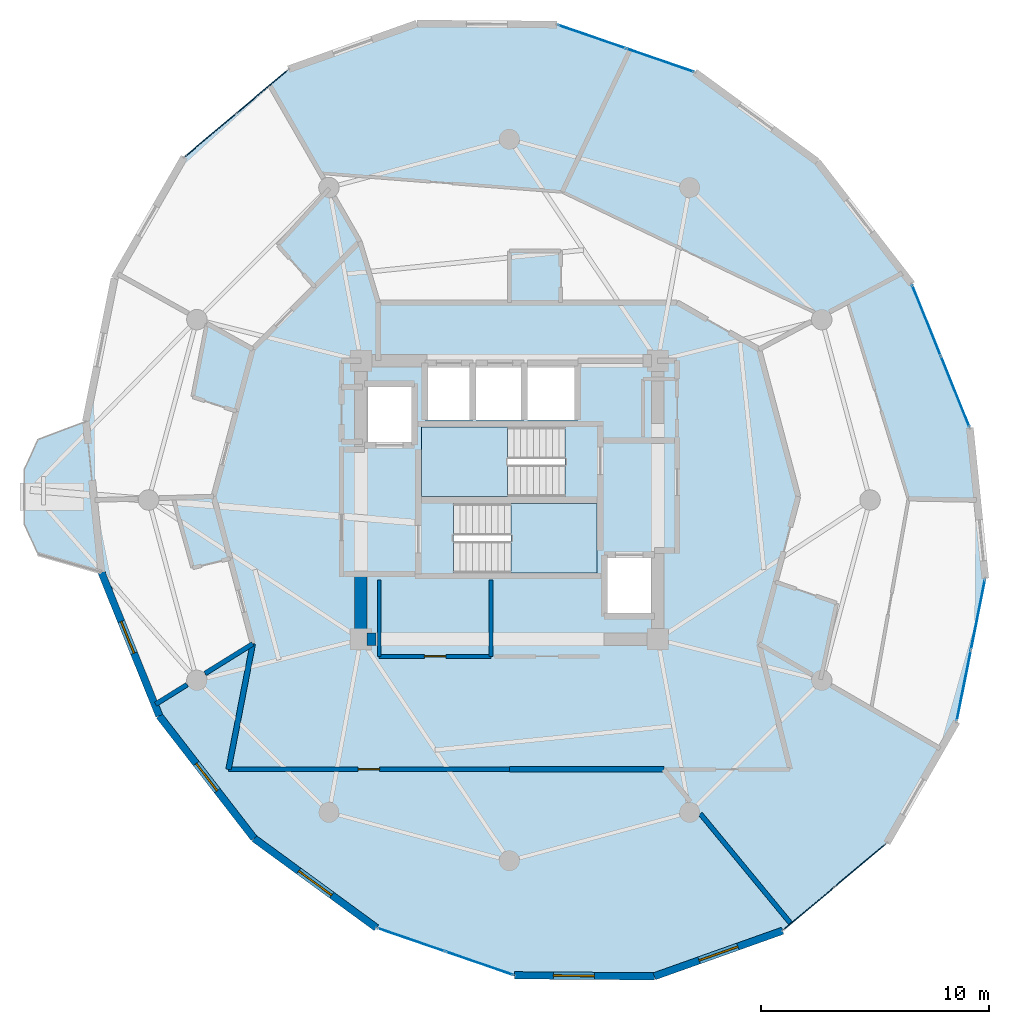
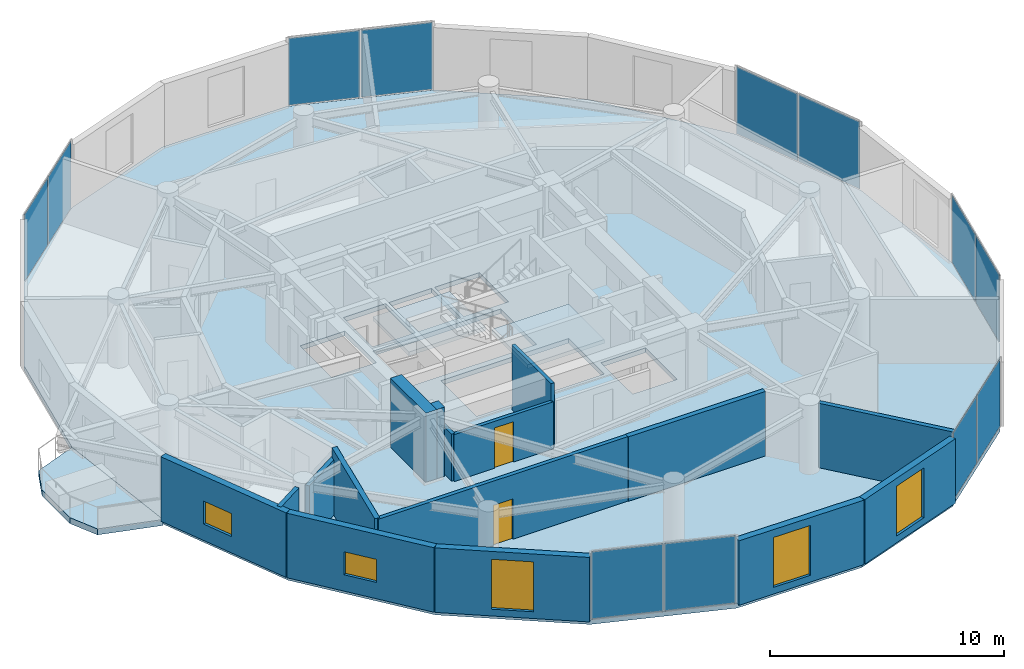
# One storey, part 11 of 17: 16 walls, 12 plates, 5 windows, 4 slabs, 2 doors, 7 openings, 8 elements without a shape of their own.
"""IFC4 building model written with IfcOpenShell, lengths in metres."""

from ifc_helpers import new_model, si_unit, direction, frame, frame_2d, origin, origin_2d, place, context, subcontext, project, spatial, polyline, rectangle, outline, extrude, source, transform, mapped, material, layer, layer_set, type_object, element, fill, aggregate, save


model = new_model("IFC4")

# Units and contexts
model_context = context("Model", 3, precision=1e-05, world=origin(), true_north=direction((0.0, 1.0)))
body_context = subcontext(model_context, "Body", "Model", "MODEL_VIEW")
ifc_project = project(units=[si_unit("LENGTHUNIT", "METRE"), si_unit("AREAUNIT", "SQUARE_METRE"), si_unit("VOLUMEUNIT", "CUBIC_METRE"), si_unit("PLANEANGLEUNIT", "RADIAN"), si_unit("MASSUNIT", "GRAM", prefix="KILO")], contexts=[model_context])

# Site, building, storey
site_placement = place(None, origin())
site = spatial("IfcSite", under=ifc_project, at=site_placement, CompositionType="ELEMENT")
building_placement = place(site_placement, origin())
building = spatial("IfcBuilding", under=site, at=building_placement, Name="Solvirekh Grand Hotel", CompositionType="ELEMENT")
storey_placement = place(building_placement, frame((0.0, 0.0, 191.199951171875)))
storey = spatial("IfcBuildingStorey", under=building, at=storey_placement, Name="L49", CompositionType="ELEMENT", Elevation=191.199951171875)

# Slab
ifc_material_1 = material(Name="Concrete C50/60", Category="concrete")
ifc_layer_1 = layer(ifc_material_1, 0.31005859375)
ifc_layer_set_1 = layer_set([ifc_layer_1], Name="Concrete C50/60")
slab_type_1 = type_object("IfcSlabType", Name="ExtHornSkyGarden_310", PredefinedType="FLOOR", material=ifc_layer_set_1)
slab_1_placement = place(storey_placement, frame((0.0, 0.0, -0.31005859375)))
element("IfcSlab", 1, at=slab_1_placement, inside=storey, type_object=slab_type_1, Name="L49 west horn sky-garden deck", PredefinedType="FLOOR", context=body_context, shape_type="SweptSolid", body=[
    extrude(outline(polyline([(-20.64501953125, 2.64892578125), (-21.2451171875, 1.327880859375), (-21.2451171875, -1.048095703125), (-20.64501953125, -2.368896484375), (-17.868896484375, -3.160888671875), (-18.544921875, 3.44091796875), (-20.64501953125, 2.64892578125)])), origin(), (0.0, 0.0, 1.0), 0.31005859375),
])

# Stair, slab
ifc_material_2 = material(Name="Concrete C40/50", Category="concrete")
stair_type = type_object("IfcStairType", Name="Stair_Core_1450", PredefinedType="HALF_TURN_STAIR", material=ifc_material_2)
stair_1_placement = place(storey_placement, origin())
stair_1 = element("IfcStair", 2, at=stair_1_placement, inside=storey, type_object=stair_type, Name="L49 Enclosed exit stair ST-1", PredefinedType="HALF_TURN_STAIR")
ifc_layer_2 = layer(ifc_material_2, 0.199951171875)
ifc_layer_set_2 = layer_set([ifc_layer_2], Name="Concrete C40/50")
slab_type_2 = type_object("IfcSlabType", Name="Landing_Stair_200", PredefinedType="LANDING", material=ifc_layer_set_2)
slab_2_placement = place(storey_placement, frame((0.0, 0.0, 1.60009765625)))
slab_2 = element("IfcSlab", 3, at=slab_2_placement, type_object=slab_type_2, Name="ST-1 landing 1", PredefinedType="LANDING", context=body_context, shape_type="SweptSolid", body=[
    extrude(outline(polyline([(0.070068359375, -3.199951171875), (3.85009765625, -3.199951171875), (3.85009765625, -0.14990234375), (0.070068359375, -0.14990234375), (0.070068359375, -3.199951171875)])), origin(), (0.0, 0.0, 1.0), 0.199951171875),
])
aggregate(stair_1, [slab_2])

stair_2_placement = place(storey_placement, origin())
stair_2 = element("IfcStair", 4, at=stair_2_placement, inside=storey, type_object=stair_type, Name="L49 Enclosed exit stair ST-2", PredefinedType="HALF_TURN_STAIR")
slab_3_placement = place(storey_placement, frame((0.0, 0.0, 1.60009765625)))
slab_3 = element("IfcSlab", 5, at=slab_3_placement, type_object=slab_type_2, Name="ST-2 landing 1", PredefinedType="LANDING", context=body_context, shape_type="SweptSolid", body=[
    extrude(outline(polyline([(-0.070068359375, 3.199951171875), (-3.85009765625, 3.199951171875), (-3.85009765625, 0.14990234375), (-0.070068359375, 0.14990234375), (-0.070068359375, 3.199951171875)])), origin(), (0.0, 0.0, 1.0), 0.199951171875),
])
aggregate(stair_2, [slab_3])

# Slab
ifc_layer_3 = layer(ifc_material_2, 0.239990234375)
ifc_layer_set_3 = layer_set([ifc_layer_3], Name="Concrete C40/50")
slab_type_3 = type_object("IfcSlabType", Name="Slab_GuestZ3_240", PredefinedType="FLOOR", material=ifc_layer_set_3)
slab_4_placement = place(storey_placement, frame((0.0, 0.0, -0.239990234375)))
element("IfcSlab", 6, at=slab_4_placement, inside=storey, type_object=slab_type_3, Name="L49 structural floor slab", PredefinedType="FLOOR", context=body_context, shape_type="SweptSolid", body=[
    extrude(outline(polyline([(11.971923828125, -18.865966796875), (16.535888671875, -15.02197265625), (19.593017578125, -9.7060546875), (20.844970703125, -3.44091796875), (20.1689453125, 3.160888671875), (17.631103515625, 9.4541015625), (13.47998046875, 14.821044921875), (8.1220703125, 18.738037109375), (2.08203125, 20.820068359375), (-4.050048828125, 20.864013671875), (-9.672119140625, 18.865966796875), (-14.236083984375, 15.02197265625), (-17.29296875, 9.7060546875), (-18.544921875, 3.44091796875), (-17.868896484375, -3.160888671875), (-15.3310546875, -9.4541015625), (-11.179931640625, -14.821044921875), (-5.822021484375, -18.738037109375), (0.218017578125, -20.820068359375), (6.35009765625, -20.864013671875), (11.971923828125, -18.865966796875)]), holes=[polyline([(-2.444091796875, -0.14990234375), (3.85009765625, -0.14990234375), (3.85009765625, -3.199951171875), (-2.444091796875, -3.199951171875), (-2.444091796875, -0.14990234375)]), polyline([(2.444091796875, 0.14990234375), (-3.85009765625, 0.14990234375), (-3.85009765625, 3.199951171875), (2.444091796875, 3.199951171875), (2.444091796875, 0.14990234375)]), polyline([(-3.699951171875, 6.0), (-1.60009765625, 6.0), (-1.60009765625, 3.5), (-3.699951171875, 3.5), (-3.699951171875, 6.0)]), polyline([(-1.449951171875, 6.0), (0.64990234375, 6.0), (0.64990234375, 3.5), (-1.449951171875, 3.5), (-1.449951171875, 6.0)]), polyline([(0.800048828125, 6.0), (3.0, 6.0), (3.0, 3.5), (0.800048828125, 3.5), (0.800048828125, 6.0)]), polyline([(-6.35009765625, 5.10009765625), (-4.14990234375, 5.10009765625), (-4.14990234375, 2.39990234375), (-6.35009765625, 2.39990234375), (-6.35009765625, 5.10009765625)]), polyline([(4.14990234375, -2.39990234375), (6.35009765625, -2.39990234375), (6.35009765625, -5.10009765625), (4.14990234375, -5.10009765625), (4.14990234375, -2.39990234375)])]), origin(), (0.0, 0.0, 1.0), 0.239990234375),
])

# Curtain wall, plates
ifc_material_3 = material(Name="Anodized Bronze Aluminium 6063-T6", Category="aluminium")
ifc_layer_4 = layer(ifc_material_3, 0.159912109375)
ifc_layer_set_4 = layer_set([ifc_layer_4], Name="Anodized Bronze Aluminium 6063-T6")
curtain_wall_type = type_object("IfcCurtainWallType", Name="CW_Sys4_HighZoneFlushBronzeCW", PredefinedType="NOTDEFINED", material=ifc_layer_set_4)
curtain_wall_1_placement = place(storey_placement, origin())
curtain_wall_1 = element("IfcCurtainWall", 7, at=curtain_wall_1_placement, inside=storey, type_object=curtain_wall_type, Name="L49 unitised bronze-glass curtain wall CW-L49-C01", PredefinedType="NOTDEFINED")
ifc_material_4 = material(Name="Low-E Tinted Bronze Laminated Glass", Category="aluminium")
ifc_layer_5 = layer(ifc_material_4, 0.033935546875)
ifc_layer_set_5 = layer_set([ifc_layer_5], Name="Low-E Tinted Bronze Laminated Glass")
plate_type = type_object("IfcPlateType", Name="CWPanel_High_34", PredefinedType="CURTAIN_PANEL", material=ifc_layer_set_5)
shared_shape_1 = source(origin(), body_context, "Body", "SweptSolid", [
    extrude(rectangle(XDim=2.8935546875, YDim=0.033935546875, at=origin_2d()), origin(), (0.0, 0.0, 1.0), 3.489990234375),
])
plate_1_placement = place(storey_placement, frame((13.12451171875, -17.895263671875, 0.05517578125), z_axis=(0.0, 0.0, 1.0), x_axis=(0.764859045903, 0.644197671449, 0.0)))
plate_1 = element("IfcPlate", 8, at=plate_1_placement, type_object=plate_type, Name="U04 panel 1.1", PredefinedType="CURTAIN_PANEL", context=body_context, shape_type="MappedRepresentation", body=[
    mapped(shared_shape_1, transform((0.0, 0.0, 0.0), x_axis=(1.0, 0.0, 0.0), y_axis=(0.0, 1.0, 0.0), z_axis=(0.0, 0.0, 1.0), scale=1.0)),
])
plate_2_placement = place(storey_placement, frame((15.383544921875, -15.99267578125, 0.05517578125), z_axis=(0.0, 0.0, 1.0), x_axis=(0.764859045903, 0.644197671449, 0.0)))
plate_2 = element("IfcPlate", 9, at=plate_2_placement, type_object=plate_type, Name="U04 panel 2.1", PredefinedType="CURTAIN_PANEL", context=body_context, shape_type="MappedRepresentation", body=[
    mapped(shared_shape_1, transform((0.0, 0.0, 0.0), x_axis=(1.0, 0.0, 0.0), y_axis=(0.0, 1.0, 0.0), z_axis=(0.0, 0.0, 1.0), scale=1.0)),
])
aggregate(curtain_wall_1, [plate_1, plate_2])

curtain_wall_2_placement = place(storey_placement, origin())
curtain_wall_2 = element("IfcCurtainWall", 10, at=curtain_wall_2_placement, inside=storey, type_object=curtain_wall_type, Name="L49 unitised bronze-glass curtain wall CW-L49-C11", PredefinedType="NOTDEFINED")
plate_3_placement = place(storey_placement, frame((-10.824462890625, 17.895263671875, 0.05517578125), z_axis=(0.0, 0.0, 1.0), x_axis=(-0.764859045903, -0.644197671449, 0.0)))
plate_3 = element("IfcPlate", 11, at=plate_3_placement, type_object=plate_type, Name="U04 panel 1.1", PredefinedType="CURTAIN_PANEL", context=body_context, shape_type="MappedRepresentation", body=[
    mapped(shared_shape_1, transform((0.0, 0.0, 0.0), x_axis=(1.0, 0.0, 0.0), y_axis=(0.0, 1.0, 0.0), z_axis=(0.0, 0.0, 1.0), scale=1.0)),
])
plate_4_placement = place(storey_placement, frame((-13.08349609375, 15.99267578125, 0.05517578125), z_axis=(0.0, 0.0, 1.0), x_axis=(-0.764859045903, -0.644197671449, 0.0)))
plate_4 = element("IfcPlate", 12, at=plate_4_placement, type_object=plate_type, Name="U04 panel 2.1", PredefinedType="CURTAIN_PANEL", context=body_context, shape_type="MappedRepresentation", body=[
    mapped(shared_shape_1, transform((0.0, 0.0, 0.0), x_axis=(1.0, 0.0, 0.0), y_axis=(0.0, 1.0, 0.0), z_axis=(0.0, 0.0, 1.0), scale=1.0)),
])
aggregate(curtain_wall_2, [plate_3, plate_4])

curtain_wall_3_placement = place(storey_placement, origin())
curtain_wall_3 = element("IfcCurtainWall", 13, at=curtain_wall_3_placement, inside=storey, type_object=curtain_wall_type, Name="L49 unitised bronze-glass curtain wall CW-L49-C03", PredefinedType="NOTDEFINED")
shared_shape_2 = source(origin(), body_context, "Body", "SweptSolid", [
    extrude(rectangle(XDim=3.1044921875, YDim=0.033935546875, at=origin_2d()), origin(), (0.0, 0.0, 1.0), 3.489990234375),
])
plate_5_placement = place(storey_placement, frame((19.908935546875, -8.125, 0.05517578125), z_axis=(0.0, 0.0, 1.0), x_axis=(0.195965630846, 0.980610764538, 0.0)))
plate_5 = element("IfcPlate", 14, at=plate_5_placement, type_object=plate_type, Name="U04 panel 1.1", PredefinedType="CURTAIN_PANEL", context=body_context, shape_type="MappedRepresentation", body=[
    mapped(shared_shape_2, transform((0.0, 0.0, 0.0), x_axis=(1.0, 0.0, 0.0), y_axis=(0.0, 1.0, 0.0), z_axis=(0.0, 0.0, 1.0), scale=1.0)),
])
plate_6_placement = place(storey_placement, frame((20.529052734375, -5.02197265625, 0.05517578125), z_axis=(0.0, 0.0, 1.0), x_axis=(0.195965630846, 0.980610764538, 0.0)))
plate_6 = element("IfcPlate", 15, at=plate_6_placement, type_object=plate_type, Name="U04 panel 2.1", PredefinedType="CURTAIN_PANEL", context=body_context, shape_type="MappedRepresentation", body=[
    mapped(shared_shape_2, transform((0.0, 0.0, 0.0), x_axis=(1.0, 0.0, 0.0), y_axis=(0.0, 1.0, 0.0), z_axis=(0.0, 0.0, 1.0), scale=1.0)),
])
aggregate(curtain_wall_3, [plate_5, plate_6])

curtain_wall_4_placement = place(storey_placement, origin())
curtain_wall_4 = element("IfcCurtainWall", 16, at=curtain_wall_4_placement, inside=storey, type_object=curtain_wall_type, Name="L49 unitised bronze-glass curtain wall CW-L49-C08", PredefinedType="NOTDEFINED")
plate_7_placement = place(storey_placement, frame((6.597900390625, 19.263427734375, 0.05517578125), z_axis=(0.0, 0.0, 1.0), x_axis=(-0.945409570197, 0.325884557137, 0.0)))
plate_7 = element("IfcPlate", 17, at=plate_7_placement, type_object=plate_type, Name="U04 panel 1.1", PredefinedType="CURTAIN_PANEL", context=body_context, shape_type="MappedRepresentation", body=[
    mapped(shared_shape_2, transform((0.0, 0.0, 0.0), x_axis=(1.0, 0.0, 0.0), y_axis=(0.0, 1.0, 0.0), z_axis=(0.0, 0.0, 1.0), scale=1.0)),
])
plate_8_placement = place(storey_placement, frame((3.606201171875, 20.294677734375, 0.05517578125), z_axis=(0.0, 0.0, 1.0), x_axis=(-0.945409570197, 0.325884557137, 0.0)))
plate_8 = element("IfcPlate", 18, at=plate_8_placement, type_object=plate_type, Name="U04 panel 2.1", PredefinedType="CURTAIN_PANEL", context=body_context, shape_type="MappedRepresentation", body=[
    mapped(shared_shape_2, transform((0.0, 0.0, 0.0), x_axis=(1.0, 0.0, 0.0), y_axis=(0.0, 1.0, 0.0), z_axis=(0.0, 0.0, 1.0), scale=1.0)),
])
aggregate(curtain_wall_4, [plate_7, plate_8])

curtain_wall_5_placement = place(storey_placement, origin())
curtain_wall_5 = element("IfcCurtainWall", 19, at=curtain_wall_5_placement, inside=storey, type_object=curtain_wall_type, Name="L49 unitised bronze-glass curtain wall CW-L49-C18", PredefinedType="NOTDEFINED")
plate_9_placement = place(storey_placement, frame((-4.2978515625, -19.263427734375, 0.05517578125), z_axis=(0.0, 0.0, 1.0), x_axis=(0.945409570197, -0.325884557137, 0.0)))
plate_9 = element("IfcPlate", 20, at=plate_9_placement, type_object=plate_type, Name="U04 panel 1.1", PredefinedType="CURTAIN_PANEL", context=body_context, shape_type="MappedRepresentation", body=[
    mapped(shared_shape_2, transform((0.0, 0.0, 0.0), x_axis=(1.0, 0.0, 0.0), y_axis=(0.0, 1.0, 0.0), z_axis=(0.0, 0.0, 1.0), scale=1.0)),
])
plate_10_placement = place(storey_placement, frame((-1.30615234375, -20.294677734375, 0.05517578125), z_axis=(0.0, 0.0, 1.0), x_axis=(0.945409570197, -0.325884557137, 0.0)))
plate_10 = element("IfcPlate", 21, at=plate_10_placement, type_object=plate_type, Name="U04 panel 2.1", PredefinedType="CURTAIN_PANEL", context=body_context, shape_type="MappedRepresentation", body=[
    mapped(shared_shape_2, transform((0.0, 0.0, 0.0), x_axis=(1.0, 0.0, 0.0), y_axis=(0.0, 1.0, 0.0), z_axis=(0.0, 0.0, 1.0), scale=1.0)),
])
aggregate(curtain_wall_5, [plate_9, plate_10])

curtain_wall_6_placement = place(storey_placement, origin())
curtain_wall_6 = element("IfcCurtainWall", 22, at=curtain_wall_6_placement, inside=storey, type_object=curtain_wall_type, Name="L49 unitised bronze-glass curtain wall CW-L49-C05", PredefinedType="NOTDEFINED")
shared_shape_3 = source(origin(), body_context, "Body", "SweptSolid", [
    extrude(rectangle(XDim=3.302734375, YDim=0.033935546875, at=origin_2d()), origin(), (0.0, 0.0, 1.0), 3.489990234375),
])
plate_11_placement = place(storey_placement, frame((19.52880859375, 4.748046875, 0.05517578125), z_axis=(0.0, 0.0, 1.0), x_axis=(-0.374031715736, 0.927415912966, 0.0)))
plate_11 = element("IfcPlate", 23, at=plate_11_placement, type_object=plate_type, Name="U04 panel 1.1", PredefinedType="CURTAIN_PANEL", context=body_context, shape_type="MappedRepresentation", body=[
    mapped(shared_shape_3, transform((0.0, 0.0, 0.0), x_axis=(1.0, 0.0, 0.0), y_axis=(0.0, 1.0, 0.0), z_axis=(0.0, 0.0, 1.0), scale=1.0)),
])
plate_12_placement = place(storey_placement, frame((18.27099609375, 7.866943359375, 0.05517578125), z_axis=(0.0, 0.0, 1.0), x_axis=(-0.374031715736, 0.927415912966, 0.0)))
plate_12 = element("IfcPlate", 24, at=plate_12_placement, type_object=plate_type, Name="U04 panel 2.1", PredefinedType="CURTAIN_PANEL", context=body_context, shape_type="MappedRepresentation", body=[
    mapped(shared_shape_3, transform((0.0, 0.0, 0.0), x_axis=(1.0, 0.0, 0.0), y_axis=(0.0, 1.0, 0.0), z_axis=(0.0, 0.0, 1.0), scale=1.0)),
])
aggregate(curtain_wall_6, [plate_11, plate_12])

# Walls
ifc_layer_6 = layer(ifc_material_1, 0.550048828125)
ifc_layer_set_6 = layer_set([ifc_layer_6], Name="Concrete C50/60")
wall_type_1 = type_object("IfcWallType", Name="CoreWall_RC550", PredefinedType="SHEAR", material=ifc_layer_set_6)
wall_1_placement = place(storey_placement, frame((-6.22509765625, -6.10009765625, 0.0), z_axis=(0.0, 0.0, 1.0), x_axis=(1.0, 0.0, 0.0)))
element("IfcWall", 25, at=wall_1_placement, inside=storey, type_object=wall_type_1, Name="L49 core corner shear wall SW-S", PredefinedType="SHEAR", context=body_context, shape_type="SweptSolid", body=[
    extrude(rectangle(XDim=0.375, YDim=0.550048828125, at=frame_2d((0.1875, 0.0))), origin(), (0.0, 0.0, 1.0), 3.60009765625),
])
wall_2_placement = place(storey_placement, frame((-6.5, -6.375, 0.0), z_axis=(0.0, 0.0, 1.0), x_axis=(0.0, 1.0, 0.0)))
element("IfcWall", 26, at=wall_2_placement, inside=storey, type_object=wall_type_1, Name="L49 core corner shear wall WS-W", PredefinedType="SHEAR", context=body_context, shape_type="SweptSolid", body=[
    extrude(rectangle(XDim=3.02490234375, YDim=0.550048828125, at=frame_2d((1.512451171875, 0.0))), origin(), (0.0, 0.0, 1.0), 3.60009765625),
])

# Wall, opening, window
ifc_material_5 = material(Name="Precast concrete C45/55", Category="concrete")
ifc_layer_7 = layer(ifc_material_5, 0.320068359375)
ifc_layer_set_7 = layer_set([ifc_layer_7], Name="Precast concrete C45/55")
wall_type_2 = type_object("IfcWallType", Name="ExtLobbyWall_RC320", PredefinedType="SOLIDWALL", material=ifc_layer_set_7)
wall_3_placement = place(storey_placement, frame((-15.3310546875, -9.4541015625, 0.0), z_axis=(0.0, 0.0, 1.0), x_axis=(-0.374000779889, 0.927428388956, 0.0)))
wall_3 = element("IfcWall", 27, at=wall_3_placement, inside=storey, type_object=wall_type_2, Name="L49 cantilevered deck support wall chord 15", PredefinedType="SOLIDWALL", context=body_context, shape_type="SweptSolid", body=[
    extrude(rectangle(XDim=6.78564453125, YDim=0.320068359375, at=frame_2d((3.392822265625, 0.0))), origin(), (0.0, 0.0, 1.0), 3.360107421875),
])
opening_1_placement = place(wall_3_placement, frame((2.958984375, 0.0, 0.85009765625)))
opening_1 = element("IfcOpeningElement", 28, at=opening_1_placement, cuts=wall_3, Name="Opening W05", PredefinedType="OPENING", context=body_context, shape_type="SweptSolid", body=[
    extrude(rectangle(XDim=1.5, YDim=1.199951171875, at=frame_2d((0.75, 0.60009765625))), frame((0.0, 0.169921875, 0.0), z_axis=(0.0, -1.0, 0.0), x_axis=(1.0, 0.0, 0.0)), (0.0, 0.0, 1.0), 0.340087890625),
])
window_type_1 = type_object("IfcWindowType", Name="Win_PlantVent_1500X1200", PartitioningType="SINGLE_PANEL", PredefinedType="WINDOW", material=ifc_material_4)
window_1_placement = place(opening_1_placement, origin())
window_1 = element("IfcWindow", 29, at=window_1_placement, inside=storey, type_object=window_type_1, Name="L49 bronze-framed vision ribbon window 15", OverallHeight=1.199951171875, OverallWidth=1.5, PartitioningType="SINGLE_PANEL", PredefinedType="WINDOW", context=body_context, shape_type="SweptSolid", body=[
    extrude(rectangle(XDim=1.5, YDim=1.199951171875, at=frame_2d((0.75, 0.60009765625))), frame((0.0, 0.030029296875, 0.0), z_axis=(0.0, -1.0, 0.0), x_axis=(1.0, 0.0, 0.0)), (0.0, 0.0, 1.0), 0.06005859375),
])
fill(opening_1, window_1)

wall_4_placement = place(storey_placement, frame((-11.179931640625, -14.821044921875, 0.0), z_axis=(0.0, 0.0, 1.0), x_axis=(-0.611810985794, 0.791003993455, 0.0)))
wall_4 = element("IfcWall", 30, at=wall_4_placement, inside=storey, type_object=wall_type_2, Name="L49 cantilevered deck support wall chord 16", PredefinedType="SOLIDWALL", context=body_context, shape_type="SweptSolid", body=[
    extrude(rectangle(XDim=6.784912109375, YDim=0.320068359375, at=frame_2d((3.392578125, 0.0))), origin(), (0.0, 0.0, 1.0), 3.360107421875),
])
opening_2_placement = place(wall_4_placement, frame((2.64208984375, 0.0, 0.85009765625)))
opening_2 = element("IfcOpeningElement", 31, at=opening_2_placement, cuts=wall_4, Name="Opening W05", PredefinedType="OPENING", context=body_context, shape_type="SweptSolid", body=[
    extrude(rectangle(XDim=1.5, YDim=1.199951171875, at=frame_2d((0.75, 0.60009765625))), frame((0.0, 0.169921875, 0.0), z_axis=(0.0, -1.0, 0.0), x_axis=(1.0, 0.0, 0.0)), (0.0, 0.0, 1.0), 0.340087890625),
])
window_2_placement = place(opening_2_placement, origin())
window_2 = element("IfcWindow", 32, at=window_2_placement, inside=storey, type_object=window_type_1, Name="L49 bronze-framed vision ribbon window 16", OverallHeight=1.199951171875, OverallWidth=1.5, PartitioningType="SINGLE_PANEL", PredefinedType="WINDOW", context=body_context, shape_type="SweptSolid", body=[
    extrude(rectangle(XDim=1.5, YDim=1.199951171875, at=frame_2d((0.75, 0.60009765625))), frame((0.0, 0.030029296875, 0.0), z_axis=(0.0, -1.0, 0.0), x_axis=(1.0, 0.0, 0.0)), (0.0, 0.0, 1.0), 0.06005859375),
])
fill(opening_2, window_2)

wall_5_placement = place(storey_placement, frame((-5.822021484375, -18.738037109375, 0.0), z_axis=(0.0, 0.0, 1.0), x_axis=(-0.80727653181, 0.590173365368, 0.0)))
wall_5 = element("IfcWall", 33, at=wall_5_placement, inside=storey, type_object=wall_type_2, Name="L49 exterior structural wall chord 17", PredefinedType="SOLIDWALL", context=body_context, shape_type="SweptSolid", body=[
    extrude(rectangle(XDim=6.636962890625, YDim=0.320068359375, at=frame_2d((3.318359375, 0.0))), origin(), (0.0, 0.0, 1.0), 3.360107421875),
])
opening_3_placement = place(wall_5_placement, frame((2.4189453125, 0.0, 0.35009765625)))
opening_3 = element("IfcOpeningElement", 34, at=opening_3_placement, cuts=wall_5, Name="Opening W02", PredefinedType="OPENING", context=body_context, shape_type="SweptSolid", body=[
    extrude(rectangle(XDim=1.800048828125, YDim=2.60009765625, at=frame_2d((0.89990234375, 1.300048828125))), frame((0.0, 0.169921875, 0.0), z_axis=(0.0, -1.0, 0.0), x_axis=(1.0, 0.0, 0.0)), (0.0, 0.0, 1.0), 0.340087890625),
])
window_type_2 = type_object("IfcWindowType", Name="Win_LobbyExt_1800X2600", PartitioningType="SINGLE_PANEL", PredefinedType="WINDOW", material=ifc_material_4)
window_3_placement = place(opening_3_placement, origin())
window_3 = element("IfcWindow", 35, at=window_3_placement, inside=storey, type_object=window_type_2, Name="L49 panoramic bronze-framed window 17", OverallHeight=2.60009765625, OverallWidth=1.800048828125, PartitioningType="SINGLE_PANEL", PredefinedType="WINDOW", context=body_context, shape_type="SweptSolid", body=[
    extrude(rectangle(XDim=1.800048828125, YDim=2.60009765625, at=frame_2d((0.89990234375, 1.300048828125))), frame((0.0, 0.030029296875, 0.0), z_axis=(0.0, -1.0, 0.0), x_axis=(1.0, 0.0, 0.0)), (0.0, 0.0, 1.0), 0.06005859375),
])
fill(opening_3, window_3)

wall_6_placement = place(storey_placement, frame((6.35009765625, -20.864013671875, 0.0), z_axis=(0.0, 0.0, 1.0), x_axis=(-0.999974321908, 0.007166276942, 0.0)))
wall_6 = element("IfcWall", 36, at=wall_6_placement, inside=storey, type_object=wall_type_2, Name="L49 exterior structural wall chord 19", PredefinedType="SOLIDWALL", context=body_context, shape_type="SweptSolid", body=[
    extrude(rectangle(XDim=6.13232421875, YDim=0.320068359375, at=frame_2d((3.066162109375, 0.0))), origin(), (0.0, 0.0, 1.0), 3.360107421875),
])
opening_4_placement = place(wall_6_placement, frame((2.625, 0.0, 0.35009765625)))
opening_4 = element("IfcOpeningElement", 37, at=opening_4_placement, cuts=wall_6, Name="Opening W02", PredefinedType="OPENING", context=body_context, shape_type="SweptSolid", body=[
    extrude(rectangle(XDim=1.800048828125, YDim=2.60009765625, at=frame_2d((0.89990234375, 1.300048828125))), frame((0.0, 0.169921875, 0.0), z_axis=(0.0, -1.0, 0.0), x_axis=(1.0, 0.0, 0.0)), (0.0, 0.0, 1.0), 0.340087890625),
])
window_4_placement = place(opening_4_placement, origin())
window_4 = element("IfcWindow", 38, at=window_4_placement, inside=storey, type_object=window_type_2, Name="L49 panoramic bronze-framed window 19", OverallHeight=2.60009765625, OverallWidth=1.800048828125, PartitioningType="SINGLE_PANEL", PredefinedType="WINDOW", context=body_context, shape_type="SweptSolid", body=[
    extrude(rectangle(XDim=1.800048828125, YDim=2.60009765625, at=frame_2d((0.89990234375, 1.300048828125))), frame((0.0, 0.030029296875, 0.0), z_axis=(0.0, -1.0, 0.0), x_axis=(1.0, 0.0, 0.0)), (0.0, 0.0, 1.0), 0.06005859375),
])
fill(opening_4, window_4)

wall_7_placement = place(storey_placement, frame((11.971923828125, -18.865966796875, 0.0), z_axis=(0.0, 0.0, 1.0), x_axis=(-0.942258310851, -0.334886959483, 0.0)))
wall_7 = element("IfcWall", 39, at=wall_7_placement, inside=storey, type_object=wall_type_2, Name="L49 exterior structural wall chord 20", PredefinedType="SOLIDWALL", context=body_context, shape_type="SweptSolid", body=[
    extrude(rectangle(XDim=5.96630859375, YDim=0.320068359375, at=frame_2d((2.983154296875, 0.0))), origin(), (0.0, 0.0, 1.0), 3.360107421875),
])
opening_5_placement = place(wall_7_placement, frame((2.0830078125, 0.0, 0.35009765625)))
opening_5 = element("IfcOpeningElement", 40, at=opening_5_placement, cuts=wall_7, Name="Opening W02", PredefinedType="OPENING", context=body_context, shape_type="SweptSolid", body=[
    extrude(rectangle(XDim=1.800048828125, YDim=2.60009765625, at=frame_2d((0.89990234375, 1.300048828125))), frame((0.0, 0.169921875, 0.0), z_axis=(0.0, -1.0, 0.0), x_axis=(1.0, 0.0, 0.0)), (0.0, 0.0, 1.0), 0.340087890625),
])
window_5_placement = place(opening_5_placement, origin())
window_5 = element("IfcWindow", 41, at=window_5_placement, inside=storey, type_object=window_type_2, Name="L49 panoramic bronze-framed window 20", OverallHeight=2.60009765625, OverallWidth=1.800048828125, PartitioningType="SINGLE_PANEL", PredefinedType="WINDOW", context=body_context, shape_type="SweptSolid", body=[
    extrude(rectangle(XDim=1.800048828125, YDim=2.60009765625, at=frame_2d((0.89990234375, 1.300048828125))), frame((0.0, 0.030029296875, 0.0), z_axis=(0.0, -1.0, 0.0), x_axis=(1.0, 0.0, 0.0)), (0.0, 0.0, 1.0), 0.06005859375),
])
fill(opening_5, window_5)

# Wall, opening, door
ifc_material_6 = material(Name="Acoustic Gypsum Partition Assembly")
ifc_layer_8 = layer(ifc_material_6, 0.1650390625)
ifc_layer_set_8 = layer_set([ifc_layer_8], Name="Acoustic Gypsum Partition Assembly")
wall_type_3 = type_object("IfcWallType", Name="Part_BOH_165", PredefinedType="PARTITIONING", material=ifc_layer_set_8)
wall_8_placement = place(storey_placement, frame((-5.699951171875, -6.85009765625, 0.0), z_axis=(0.0, 0.0, 1.0), x_axis=(1.0, 0.0, 0.0)))
wall_8 = element("IfcWall", 42, at=wall_8_placement, inside=storey, type_object=wall_type_3, Name="L49 High-Zone Housekeeping Linen Room wall 1", PredefinedType="PARTITIONING", context=body_context, shape_type="SweptSolid", body=[
    extrude(rectangle(XDim=4.89990234375, YDim=0.1650390625, at=frame_2d((2.449951171875, 0.0))), origin(), (0.0, 0.0, 1.0), 2.445068359375),
])
opening_6_placement = place(wall_8_placement, frame((1.97509765625, 0.0, 0.0)))
opening_6 = element("IfcOpeningElement", 43, at=opening_6_placement, cuts=wall_8, Name="Opening D10", PredefinedType="OPENING", context=body_context, shape_type="SweptSolid", body=[
    extrude(rectangle(XDim=0.949951171875, YDim=2.10009765625, at=frame_2d((0.47509765625, 1.050048828125))), frame((0.0, 0.092529296875, 0.0), z_axis=(0.0, -1.0, 0.0), x_axis=(1.0, 0.0, 0.0)), (0.0, 0.0, 1.0), 0.18505859375),
])
door_type = type_object("IfcDoorType", Name="Door_RoomInt_950X2100", OperationType="NOTDEFINED", PredefinedType="DOOR", material=ifc_material_3)
door_1_placement = place(opening_6_placement, origin())
door_1 = element("IfcDoor", 44, at=door_1_placement, inside=storey, type_object=door_type, Name="L49 High-Zone Housekeeping Linen Room door", OperationType="SINGLE_SWING_RIGHT", OverallHeight=2.10009765625, OverallWidth=0.949951171875, PredefinedType="DOOR", context=body_context, shape_type="SweptSolid", body=[
    extrude(rectangle(XDim=0.949951171875, YDim=2.10009765625, at=frame_2d((0.47509765625, 1.050048828125))), frame((0.0, 0.02490234375, 0.0), z_axis=(0.0, -1.0, 0.0), x_axis=(1.0, 0.0, 0.0)), (0.0, 0.0, 1.0), 0.050048828125),
])
fill(opening_6, door_1)

# Walls
wall_9_placement = place(storey_placement, frame((-0.800048828125, -6.85009765625, 0.0), z_axis=(0.0, 0.0, 1.0), x_axis=(0.0, 1.0, 0.0)))
element("IfcWall", 45, at=wall_9_placement, inside=storey, type_object=wall_type_3, Name="L49 High-Zone Housekeeping Linen Room wall 2", PredefinedType="PARTITIONING", context=body_context, shape_type="SweptSolid", body=[
    extrude(rectangle(XDim=3.35009765625, YDim=0.1650390625, at=frame_2d((1.675048828125, 0.0))), origin(), (0.0, 0.0, 1.0), 3.360107421875),
])
wall_10_placement = place(storey_placement, frame((-5.699951171875, -3.5, 0.0), z_axis=(0.0, 0.0, 1.0), x_axis=(0.0, -1.0, 0.0)))
element("IfcWall", 46, at=wall_10_placement, inside=storey, type_object=wall_type_3, Name="L49 High-Zone Housekeeping Linen Room wall 4", PredefinedType="PARTITIONING", context=body_context, shape_type="SweptSolid", body=[
    extrude(rectangle(XDim=3.35009765625, YDim=0.1650390625, at=frame_2d((1.675048828125, 0.0))), origin(), (0.0, 0.0, 1.0), 2.445068359375),
])
ifc_layer_9 = layer(ifc_material_6, 0.239990234375)
ifc_layer_set_9 = layer_set([ifc_layer_9], Name="Acoustic Gypsum Partition Assembly")
wall_type_4 = type_object("IfcWallType", Name="Part_Corridor_240", PredefinedType="PARTITIONING", material=ifc_layer_set_9)
wall_11_placement = place(storey_placement, frame((-11.235107421875, -6.300048828125, 0.0), z_axis=(0.0, 0.0, 1.0), x_axis=(-0.190095078136, -0.981765685522, 0.0)))
element("IfcWall", 47, at=wall_11_placement, inside=storey, type_object=wall_type_4, Name="L49 L49 Collector Map Lounge corridor wall 1", PredefinedType="PARTITIONING", context=body_context, shape_type="SweptSolid", body=[
    extrude(rectangle(XDim=5.60205078125, YDim=0.239990234375, at=frame_2d((2.801025390625, 0.0))), origin(), (0.0, 0.0, 1.0), 3.360107421875),
])
wall_12_placement = place(storey_placement, frame((0.0, -11.800048828125, 0.0), z_axis=(0.0, 0.0, 1.0), x_axis=(1.0, 0.0, 0.0)))
element("IfcWall", 48, at=wall_12_placement, inside=storey, type_object=wall_type_4, Name="L49 L49 Collector Map Lounge corridor wall 2", PredefinedType="PARTITIONING", context=body_context, shape_type="SweptSolid", body=[
    extrude(rectangle(XDim=6.764892578125, YDim=0.239990234375, at=frame_2d((3.38232421875, 0.0))), origin(), (0.0, 0.0, 1.0), 3.360107421875),
])

# Wall, opening, door
ifc_layer_10 = layer(ifc_material_6, 0.18994140625)
ifc_layer_set_10 = layer_set([ifc_layer_10], Name="Acoustic Gypsum Partition Assembly")
wall_type_5 = type_object("IfcWallType", Name="Part_GuestDemise_190", PredefinedType="PARTITIONING", material=ifc_layer_set_10)
wall_13_placement = place(storey_placement, frame((-12.300048828125, -11.800048828125, 0.0), z_axis=(0.0, 0.0, 1.0), x_axis=(1.0, 0.0, 0.0)))
wall_13 = element("IfcWall", 49, at=wall_13_placement, inside=storey, type_object=wall_type_5, Name="L49 L49 Collector Map Lounge entrance wall", PredefinedType="PARTITIONING", context=body_context, shape_type="SweptSolid", body=[
    extrude(rectangle(XDim=12.300048828125, YDim=0.18994140625, at=frame_2d((6.14990234375, 0.0))), origin(), (0.0, 0.0, 1.0), 3.360107421875),
])
opening_7_placement = place(wall_13_placement, frame((5.675048828125, 0.0, 0.0)))
opening_7 = element("IfcOpeningElement", 50, at=opening_7_placement, cuts=wall_13, Name="Opening D10", PredefinedType="OPENING", context=body_context, shape_type="SweptSolid", body=[
    extrude(rectangle(XDim=0.949951171875, YDim=2.10009765625, at=frame_2d((0.47509765625, 1.050048828125))), frame((0.0, 0.10498046875, 0.0), z_axis=(0.0, -1.0, 0.0), x_axis=(1.0, 0.0, 0.0)), (0.0, 0.0, 1.0), 0.2099609375),
])
door_2_placement = place(opening_7_placement, origin())
door_2 = element("IfcDoor", 51, at=door_2_placement, inside=storey, type_object=door_type, Name="L49 L49 Collector Map Lounge entrance door", OperationType="SINGLE_SWING_RIGHT", OverallHeight=2.10009765625, OverallWidth=0.949951171875, PredefinedType="DOOR", context=body_context, shape_type="SweptSolid", body=[
    extrude(rectangle(XDim=0.949951171875, YDim=2.10009765625, at=frame_2d((0.47509765625, 1.050048828125))), frame((0.0, 0.02490234375, 0.0), z_axis=(0.0, -1.0, 0.0), x_axis=(1.0, 0.0, 0.0)), (0.0, 0.0, 1.0), 0.050048828125),
])
fill(opening_7, door_2)

# Walls
ifc_layer_11 = layer(ifc_material_6, 0.2099609375)
ifc_layer_set_11 = layer_set([ifc_layer_11], Name="Acoustic Gypsum Partition Assembly")
wall_type_6 = type_object("IfcWallType", Name="Part_SuiteDemise_210", PredefinedType="PARTITIONING", material=ifc_layer_set_11)
wall_14_placement = place(storey_placement, frame((-11.235107421875, -6.300048828125, 0.0), z_axis=(0.0, 0.0, 1.0), x_axis=(-0.8495787928, -0.527461728302, 0.0)))
element("IfcWall", 52, at=wall_14_placement, inside=storey, type_object=wall_type_6, Name="L49 suite radial wall 8 (A)", PredefinedType="PARTITIONING", context=body_context, shape_type="SweptSolid", body=[
    extrude(rectangle(XDim=2.458740234375, YDim=0.2099609375, at=frame_2d((1.2294921875, 0.0))), origin(), (0.0, 0.0, 1.0), 2.8759765625),
])
wall_15_placement = place(storey_placement, frame((-14.114013671875, -8.087890625, 0.0), z_axis=(0.0, 0.0, 1.0), x_axis=(-0.849447375162, -0.527673342922, 0.0)))
element("IfcWall", 53, at=wall_15_placement, inside=storey, type_object=wall_type_6, Name="L49 suite radial wall 8 (B)", PredefinedType="PARTITIONING", context=body_context, shape_type="SweptSolid", body=[
    extrude(rectangle(XDim=1.62451171875, YDim=0.2099609375, at=frame_2d((0.812255859375, 0.0))), origin(), (0.0, 0.0, 1.0), 3.360107421875),
])
wall_16_placement = place(storey_placement, frame((8.365966796875, -13.742919921875, 0.0), z_axis=(0.0, 0.0, 1.0), x_axis=(0.636047975174, -0.771649514532, 0.0)))
element("IfcWall", 54, at=wall_16_placement, inside=storey, type_object=wall_type_6, Name="L49 L49 Collector Map Lounge dividing partition 1 (B)", PredefinedType="PARTITIONING", context=body_context, shape_type="SweptSolid", body=[
    extrude(rectangle(XDim=6.202392578125, YDim=0.2099609375, at=frame_2d((3.10107421875, 0.0))), origin(), (0.0, 0.0, 1.0), 3.360107421875),
])

save(model, "model.ifc")
